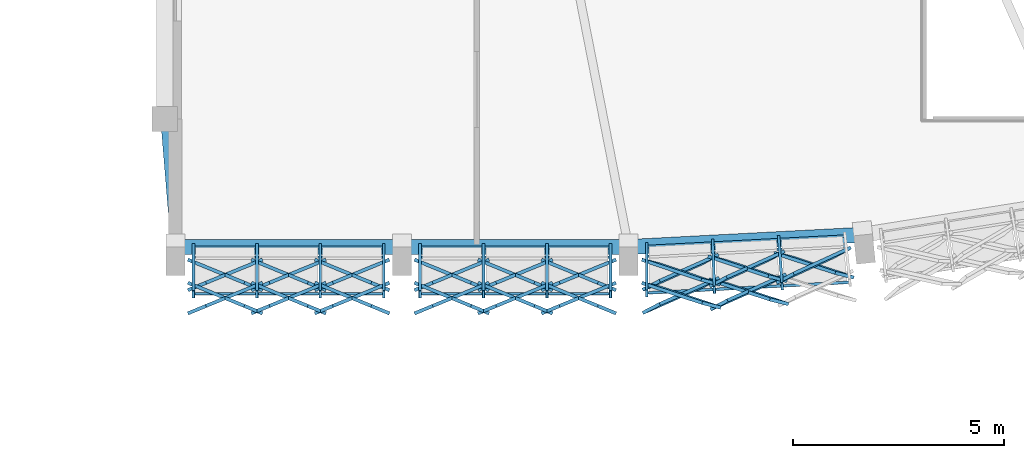
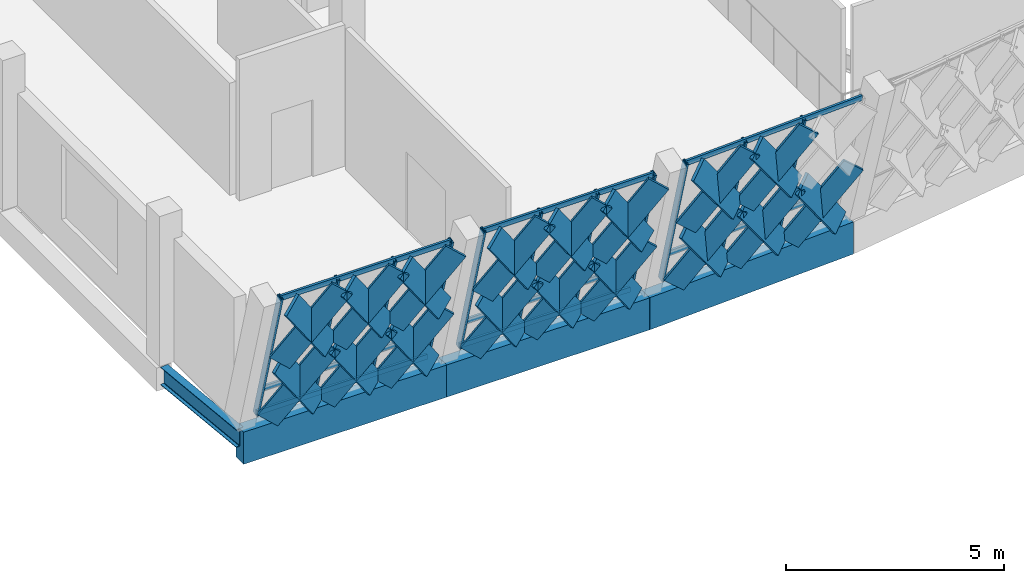
# One storey, part 16 of 107: 54 members, 4 beams, 3 elements without a shape of their own.
"""IFC4 building model written with IfcOpenShell, lengths in metres."""

from ifc_helpers import new_model, si_unit, direction, frame, origin, origin_2d, place, context, subcontext, project, spatial, rectangle, hollow_rectangle, i_section, extrude, material, material_profile, profile_set, type_object, element, aggregate, save


model = new_model("IFC4")

# Units and contexts
model_context = context("Model", 3, precision=1e-05, world=origin(), true_north=direction((0.0, 1.0)))
body_context = subcontext(model_context, "Body", "Model", "MODEL_VIEW")
ifc_project = project(units=[si_unit("LENGTHUNIT", "METRE"), si_unit("AREAUNIT", "SQUARE_METRE"), si_unit("VOLUMEUNIT", "CUBIC_METRE"), si_unit("PLANEANGLEUNIT", "RADIAN"), si_unit("MASSUNIT", "GRAM", prefix="KILO")], contexts=[model_context])

# Site, building, storey
site_placement = place(None, origin())
site = spatial("IfcSite", under=ifc_project, at=site_placement, CompositionType="ELEMENT")
building_placement = place(site_placement, origin())
building = spatial("IfcBuilding", under=site, at=building_placement, Name="Chiffa Square Polytechnic", CompositionType="ELEMENT")
storey_placement = place(building_placement, frame((0.0, 0.0, 13.800048828125)))
storey = spatial("IfcBuildingStorey", under=building, at=storey_placement, Name="L03", CompositionType="ELEMENT", Elevation=13.800048828125)

# Beam
ifc_material_1 = material(Name="Steel S355", Category="steel")
ifc_material_profile_1 = material_profile(ifc_material_1, i_section(OverallWidth=0.199951171875, OverallDepth=0.5, WebThickness=0.01025390625, FlangeThickness=0.01611328125, FilletRadius=0.02099609375, at=origin_2d()), Name="IPE 500")
ifc_profile_set_1 = profile_set([ifc_material_profile_1], Name="Steel S355")
beam_type_1 = type_object("IfcBeamType", Name="BM-STL-IPE500", PredefinedType="BEAM", material=ifc_profile_set_1)
beam_1_placement = place(storey_placement, frame((112.449951171875, 4.162109375, -0.510009765625), z_axis=(-0.082018001166, 0.99663084815, 0.0), x_axis=(-0.99663084815, -0.082018001166, 0.0)))
element("IfcBeam", 1, at=beam_1_placement, inside=storey, type_object=beam_type_1, Name="Prow radial tie girder BM-V1-RAD-L03-01", PredefinedType="BEAM", context=body_context, shape_type="SweptSolid", body=[
    extrude(i_section(OverallWidth=0.199951171875, OverallDepth=0.5, WebThickness=0.01025390625, FlangeThickness=0.01611328125, FilletRadius=0.02099609375, at=origin_2d()), origin(), (0.0, 0.0, 1.0), 3.048095703125),
])

# Curtain wall, members
ifc_material_2 = material(Name="Aluminium EN AW-6060 T66 and glulam shading", Category="wood")
curtain_wall_type_1 = type_object("IfcCurtainWallType", Name="CW-PROW-LEAN-150", PredefinedType="USERDEFINED", material=ifc_material_2)
curtain_wall_1_placement = place(storey_placement, origin())
curtain_wall_1 = element("IfcCurtainWall", 2, at=curtain_wall_1_placement, inside=storey, type_object=curtain_wall_type_1, Name="Outward-leaning diamond-fin prow curtain wall CW-V1-L03-044", ObjectType="CURTAIN WALL", PredefinedType="USERDEFINED")
ifc_material_3 = material(Name="Aluminium EN AW-6060 T66", Category="aluminium")
ifc_material_profile_2 = material_profile(ifc_material_3, hollow_rectangle(XDim=0.06494140625, YDim=0.179931640625, WallThickness=0.00390625, at=origin_2d()), Name="ALU 65x180x4")
ifc_profile_set_2 = profile_set([ifc_material_profile_2], Name="Aluminium EN AW-6060 T66")
member_type_1 = type_object("IfcMemberType", Name="CWM-ALU-75X180", PredefinedType="MULLION", material=ifc_profile_set_2)
member_1_placement = place(storey_placement, frame((112.8798828125, 4.162109375, 0.0), z_axis=(0.0, -0.272401220417, 0.962183753301), x_axis=(1.0, 0.0, 0.0)))
member_1 = element("IfcMember", 3, at=member_1_placement, type_object=member_type_1, Name="Leaning prow mullion CW-V1-L03-044-M00", PredefinedType="MULLION", context=body_context, shape_type="SweptSolid", body=[
    extrude(hollow_rectangle(XDim=0.06494140625, YDim=0.179931640625, WallThickness=0.00390625, at=origin_2d()), origin(), (0.0, 0.0, 1.0), 4.115478515625),
])
member_2_placement = place(storey_placement, frame((114.385009765625, 4.162109375, 0.0), z_axis=(0.0, -0.272401220417, 0.962183753301), x_axis=(1.0, 0.0, 0.0)))
member_2 = element("IfcMember", 4, at=member_2_placement, type_object=member_type_1, Name="Leaning prow mullion CW-V1-L03-044-M01", PredefinedType="MULLION", context=body_context, shape_type="SweptSolid", body=[
    extrude(hollow_rectangle(XDim=0.06494140625, YDim=0.179931640625, WallThickness=0.00390625, at=origin_2d()), origin(), (0.0, 0.0, 1.0), 4.115478515625),
])
member_3_placement = place(storey_placement, frame((115.889892578125, 4.162109375, 0.0), z_axis=(0.0, -0.272401220417, 0.962183753301), x_axis=(1.0, 0.0, 0.0)))
member_3 = element("IfcMember", 5, at=member_3_placement, type_object=member_type_1, Name="Leaning prow mullion CW-V1-L03-044-M02", PredefinedType="MULLION", context=body_context, shape_type="SweptSolid", body=[
    extrude(hollow_rectangle(XDim=0.06494140625, YDim=0.179931640625, WallThickness=0.00390625, at=origin_2d()), origin(), (0.0, 0.0, 1.0), 4.115478515625),
])
member_4_placement = place(storey_placement, frame((117.39501953125, 4.162109375, 0.0), z_axis=(0.0, -0.272401220417, 0.962183753301), x_axis=(1.0, 0.0, 0.0)))
member_4 = element("IfcMember", 6, at=member_4_placement, type_object=member_type_1, Name="Leaning prow mullion CW-V1-L03-044-M03", PredefinedType="MULLION", context=body_context, shape_type="SweptSolid", body=[
    extrude(hollow_rectangle(XDim=0.06494140625, YDim=0.179931640625, WallThickness=0.00390625, at=origin_2d()), origin(), (0.0, 0.0, 1.0), 4.115478515625),
])

curtain_wall_type_2 = type_object("IfcCurtainWallType", Name="CW-PROW-LEAN-300", PredefinedType="USERDEFINED", material=ifc_material_2)
curtain_wall_2_placement = place(storey_placement, origin())
curtain_wall_2 = element("IfcCurtainWall", 7, at=curtain_wall_2_placement, inside=storey, type_object=curtain_wall_type_2, Name="Outward-leaning diamond-fin prow curtain wall CW-V1-L03-045", ObjectType="CURTAIN WALL", PredefinedType="USERDEFINED")
member_5_placement = place(storey_placement, frame((118.2548828125, 4.162109375, 0.0), z_axis=(0.0, -0.272401220417, 0.962183753301), x_axis=(1.0, 0.0, 0.0)))
member_5 = element("IfcMember", 8, at=member_5_placement, type_object=member_type_1, Name="Leaning prow mullion CW-V1-L03-045-M00", PredefinedType="MULLION", context=body_context, shape_type="SweptSolid", body=[
    extrude(hollow_rectangle(XDim=0.06494140625, YDim=0.179931640625, WallThickness=0.00390625, at=origin_2d()), origin(), (0.0, 0.0, 1.0), 4.115478515625),
])
member_6_placement = place(storey_placement, frame((119.760009765625, 4.162109375, 0.0), z_axis=(0.0, -0.272401220417, 0.962183753301), x_axis=(1.0, 0.0, 0.0)))
member_6 = element("IfcMember", 9, at=member_6_placement, type_object=member_type_1, Name="Leaning prow mullion CW-V1-L03-045-M01", PredefinedType="MULLION", context=body_context, shape_type="SweptSolid", body=[
    extrude(hollow_rectangle(XDim=0.06494140625, YDim=0.179931640625, WallThickness=0.00390625, at=origin_2d()), origin(), (0.0, 0.0, 1.0), 4.115478515625),
])
member_7_placement = place(storey_placement, frame((121.264892578125, 4.162109375, 0.0), z_axis=(0.0, -0.272401220417, 0.962183753301), x_axis=(1.0, 0.0, 0.0)))
member_7 = element("IfcMember", 10, at=member_7_placement, type_object=member_type_1, Name="Leaning prow mullion CW-V1-L03-045-M02", PredefinedType="MULLION", context=body_context, shape_type="SweptSolid", body=[
    extrude(hollow_rectangle(XDim=0.06494140625, YDim=0.179931640625, WallThickness=0.00390625, at=origin_2d()), origin(), (0.0, 0.0, 1.0), 4.115478515625),
])
member_8_placement = place(storey_placement, frame((122.77001953125, 4.162109375, 0.0), z_axis=(0.0, -0.272401220417, 0.962183753301), x_axis=(1.0, 0.0, 0.0)))
member_8 = element("IfcMember", 11, at=member_8_placement, type_object=member_type_1, Name="Leaning prow mullion CW-V1-L03-045-M03", PredefinedType="MULLION", context=body_context, shape_type="SweptSolid", body=[
    extrude(hollow_rectangle(XDim=0.06494140625, YDim=0.179931640625, WallThickness=0.00390625, at=origin_2d()), origin(), (0.0, 0.0, 1.0), 4.115478515625),
])

curtain_wall_3_placement = place(storey_placement, origin())
curtain_wall_3 = element("IfcCurtainWall", 12, at=curtain_wall_3_placement, inside=storey, type_object=curtain_wall_type_1, Name="Outward-leaning diamond-fin prow curtain wall CW-V1-L03-046", ObjectType="CURTAIN WALL", PredefinedType="USERDEFINED")
member_9_placement = place(storey_placement, frame((123.62890625, 4.18408203125, 0.0), z_axis=(0.0, -0.272401220417, 0.962183753301), x_axis=(1.0, 0.0, 0.0)))
member_9 = element("IfcMember", 13, at=member_9_placement, type_object=member_type_1, Name="Leaning prow mullion CW-V1-L03-046-M00", PredefinedType="MULLION", context=body_context, shape_type="SweptSolid", body=[
    extrude(hollow_rectangle(XDim=0.06494140625, YDim=0.179931640625, WallThickness=0.00390625, at=origin_2d()), origin(), (0.0, 0.0, 1.0), 4.115478515625),
])
member_10_placement = place(storey_placement, frame((125.1962890625, 4.266357421875, 0.0), z_axis=(0.009492130207, -0.271949530432, 0.962264699738), x_axis=(0.999391410927, 0.03488277176, 0.0)))
member_10 = element("IfcMember", 14, at=member_10_placement, type_object=member_type_1, Name="Leaning prow mullion CW-V1-L03-046-M01", PredefinedType="MULLION", context=body_context, shape_type="SweptSolid", body=[
    extrude(hollow_rectangle(XDim=0.06494140625, YDim=0.179931640625, WallThickness=0.00390625, at=origin_2d()), origin(), (0.0, 0.0, 1.0), 4.115234375),
])
member_11_placement = place(storey_placement, frame((126.763671875, 4.3486328125, 0.0), z_axis=(0.018984448538, -0.271418287686, 0.962274235249), x_axis=(0.997562762874, 0.069774881775, 0.0)))
member_11 = element("IfcMember", 15, at=member_11_placement, type_object=member_type_1, Name="Leaning prow mullion CW-V1-L03-046-M02", PredefinedType="MULLION", context=body_context, shape_type="SweptSolid", body=[
    extrude(hollow_rectangle(XDim=0.06494140625, YDim=0.179931640625, WallThickness=0.00390625, at=origin_2d()), origin(), (0.0, 0.0, 1.0), 4.115234375),
])

# Member
ifc_material_4 = material(Name="Glulam GL28h", Category="wood")
ifc_material_profile_3 = material_profile(ifc_material_4, rectangle(XDim=0.080078125, YDim=0.580078125, at=origin_2d()), Name="GL28h 80x580")
ifc_profile_set_3 = profile_set([ifc_material_profile_3], Name="Glulam GL28h")
member_type_2 = type_object("IfcMemberType", Name="CWM-GL-80X580", PredefinedType="MULLION", material=ifc_profile_set_3)
member_12_placement = place(storey_placement, frame((112.962890625, 3.77587890625, 0.0400390625), z_axis=(0.553285465109, -0.2267612991, 0.801532599044), x_axis=(0.379230520907, 0.92530222739, 0.0)))
member_12 = element("IfcMember", 16, at=member_12_placement, type_object=member_type_2, Name="Diamond glulam fin CW-V1-L03-044-DF01A", PredefinedType="MULLION", context=body_context, shape_type="SweptSolid", body=[
    extrude(rectangle(XDim=0.080078125, YDim=0.580078125, at=origin_2d()), origin(), (0.0, 0.0, 1.0), 2.42041015625),
])

member_13_placement = place(storey_placement, frame((114.302001953125, 3.77587890625, 0.0400390625), z_axis=(-0.553285465109, -0.2267612991, 0.801532599044), x_axis=(0.379230520907, -0.92530222739, 0.0)))
member_13 = element("IfcMember", 17, at=member_13_placement, type_object=member_type_2, Name="Diamond glulam fin CW-V1-L03-044-DF01B", PredefinedType="MULLION", context=body_context, shape_type="SweptSolid", body=[
    extrude(rectangle(XDim=0.080078125, YDim=0.580078125, at=origin_2d()), origin(), (0.0, 0.0, 1.0), 2.42041015625),
])

member_14_placement = place(storey_placement, frame((112.962890625, 3.22705078125, 1.97998046875), z_axis=(0.553222126436, -0.227239644642, 0.801440841688), x_axis=(0.379952352227, 0.92500605946, 0.0)))
member_14 = element("IfcMember", 18, at=member_14_placement, type_object=member_type_2, Name="Diamond glulam fin CW-V1-L03-044-DF02A", PredefinedType="MULLION", context=body_context, shape_type="SweptSolid", body=[
    extrude(rectangle(XDim=0.080078125, YDim=0.580078125, at=origin_2d()), origin(), (0.0, 0.0, 1.0), 2.420654296875),
])

member_15_placement = place(storey_placement, frame((114.302001953125, 3.22705078125, 1.97998046875), z_axis=(-0.553222126436, -0.227239644642, 0.801440841688), x_axis=(0.379952352227, -0.92500605946, 0.0)))
member_15 = element("IfcMember", 19, at=member_15_placement, type_object=member_type_2, Name="Diamond glulam fin CW-V1-L03-044-DF02B", PredefinedType="MULLION", context=body_context, shape_type="SweptSolid", body=[
    extrude(rectangle(XDim=0.080078125, YDim=0.580078125, at=origin_2d()), origin(), (0.0, 0.0, 1.0), 2.420654296875),
])

member_16_placement = place(storey_placement, frame((114.468017578125, 3.77587890625, 0.0400390625), z_axis=(0.553215466348, -0.226773954842, 0.801577333261), x_axis=(0.379289725577, 0.925277960438, 0.0)))
member_16 = element("IfcMember", 20, at=member_16_placement, type_object=member_type_2, Name="Diamond glulam fin CW-V1-L03-044-DF03A", PredefinedType="MULLION", context=body_context, shape_type="SweptSolid", body=[
    extrude(rectangle(XDim=0.080078125, YDim=0.580078125, at=origin_2d()), origin(), (0.0, 0.0, 1.0), 2.420166015625),
])

member_17_placement = place(storey_placement, frame((115.806884765625, 3.77587890625, 0.0400390625), z_axis=(-0.553215466348, -0.226773954842, 0.801577333261), x_axis=(0.379289725577, -0.925277960438, 0.0)))
member_17 = element("IfcMember", 21, at=member_17_placement, type_object=member_type_2, Name="Diamond glulam fin CW-V1-L03-044-DF03B", PredefinedType="MULLION", context=body_context, shape_type="SweptSolid", body=[
    extrude(rectangle(XDim=0.080078125, YDim=0.580078125, at=origin_2d()), origin(), (0.0, 0.0, 1.0), 2.420166015625),
])

member_18_placement = place(storey_placement, frame((114.468017578125, 3.22705078125, 1.97998046875), z_axis=(0.553152128621, -0.227252324176, 0.801485560543), x_axis=(0.380011631613, 0.92498170784, 0.0)))
member_18 = element("IfcMember", 22, at=member_18_placement, type_object=member_type_2, Name="Diamond glulam fin CW-V1-L03-044-DF04A", PredefinedType="MULLION", context=body_context, shape_type="SweptSolid", body=[
    extrude(rectangle(XDim=0.080078125, YDim=0.580078125, at=origin_2d()), origin(), (0.0, 0.0, 1.0), 2.42041015625),
])

member_19_placement = place(storey_placement, frame((115.806884765625, 3.22705078125, 1.97998046875), z_axis=(-0.553152128621, -0.227252324176, 0.801485560543), x_axis=(0.380011631613, -0.92498170784, 0.0)))
member_19 = element("IfcMember", 23, at=member_19_placement, type_object=member_type_2, Name="Diamond glulam fin CW-V1-L03-044-DF04B", PredefinedType="MULLION", context=body_context, shape_type="SweptSolid", body=[
    extrude(rectangle(XDim=0.080078125, YDim=0.580078125, at=origin_2d()), origin(), (0.0, 0.0, 1.0), 2.42041015625),
])

member_20_placement = place(storey_placement, frame((115.972900390625, 3.77587890625, 0.0400390625), z_axis=(0.553285465109, -0.2267612991, 0.801532599044), x_axis=(0.379230520907, 0.92530222739, 0.0)))
member_20 = element("IfcMember", 24, at=member_20_placement, type_object=member_type_2, Name="Diamond glulam fin CW-V1-L03-044-DF05A", PredefinedType="MULLION", context=body_context, shape_type="SweptSolid", body=[
    extrude(rectangle(XDim=0.080078125, YDim=0.580078125, at=origin_2d()), origin(), (0.0, 0.0, 1.0), 2.42041015625),
])

member_21_placement = place(storey_placement, frame((117.31201171875, 3.77587890625, 0.0400390625), z_axis=(-0.553285465109, -0.2267612991, 0.801532599044), x_axis=(0.379230520907, -0.92530222739, 0.0)))
member_21 = element("IfcMember", 25, at=member_21_placement, type_object=member_type_2, Name="Diamond glulam fin CW-V1-L03-044-DF05B", PredefinedType="MULLION", context=body_context, shape_type="SweptSolid", body=[
    extrude(rectangle(XDim=0.080078125, YDim=0.580078125, at=origin_2d()), origin(), (0.0, 0.0, 1.0), 2.42041015625),
])

member_22_placement = place(storey_placement, frame((115.972900390625, 3.22705078125, 1.97998046875), z_axis=(0.553222126436, -0.227239644642, 0.801440841688), x_axis=(0.379952352227, 0.92500605946, 0.0)))
member_22 = element("IfcMember", 26, at=member_22_placement, type_object=member_type_2, Name="Diamond glulam fin CW-V1-L03-044-DF06A", PredefinedType="MULLION", context=body_context, shape_type="SweptSolid", body=[
    extrude(rectangle(XDim=0.080078125, YDim=0.580078125, at=origin_2d()), origin(), (0.0, 0.0, 1.0), 2.420654296875),
])

member_23_placement = place(storey_placement, frame((117.31201171875, 3.22705078125, 1.97998046875), z_axis=(-0.553222126436, -0.227239644642, 0.801440841688), x_axis=(0.379952352227, -0.92500605946, 0.0)))
member_23 = element("IfcMember", 27, at=member_23_placement, type_object=member_type_2, Name="Diamond glulam fin CW-V1-L03-044-DF06B", PredefinedType="MULLION", context=body_context, shape_type="SweptSolid", body=[
    extrude(rectangle(XDim=0.080078125, YDim=0.580078125, at=origin_2d()), origin(), (0.0, 0.0, 1.0), 2.420654296875),
])

member_24_placement = place(storey_placement, frame((118.337890625, 3.77587890625, 0.0400390625), z_axis=(0.553285465109, -0.2267612991, 0.801532599044), x_axis=(0.379230520907, 0.92530222739, 0.0)))
member_24 = element("IfcMember", 28, at=member_24_placement, type_object=member_type_2, Name="Diamond glulam fin CW-V1-L03-045-DF01A", PredefinedType="MULLION", context=body_context, shape_type="SweptSolid", body=[
    extrude(rectangle(XDim=0.080078125, YDim=0.580078125, at=origin_2d()), origin(), (0.0, 0.0, 1.0), 2.42041015625),
])

member_25_placement = place(storey_placement, frame((119.677001953125, 3.77587890625, 0.0400390625), z_axis=(-0.553285465109, -0.2267612991, 0.801532599044), x_axis=(0.379230520907, -0.92530222739, 0.0)))
member_25 = element("IfcMember", 29, at=member_25_placement, type_object=member_type_2, Name="Diamond glulam fin CW-V1-L03-045-DF01B", PredefinedType="MULLION", context=body_context, shape_type="SweptSolid", body=[
    extrude(rectangle(XDim=0.080078125, YDim=0.580078125, at=origin_2d()), origin(), (0.0, 0.0, 1.0), 2.42041015625),
])

member_26_placement = place(storey_placement, frame((118.337890625, 3.22705078125, 1.97998046875), z_axis=(0.553222126436, -0.227239644642, 0.801440841688), x_axis=(0.379952352227, 0.92500605946, 0.0)))
member_26 = element("IfcMember", 30, at=member_26_placement, type_object=member_type_2, Name="Diamond glulam fin CW-V1-L03-045-DF02A", PredefinedType="MULLION", context=body_context, shape_type="SweptSolid", body=[
    extrude(rectangle(XDim=0.080078125, YDim=0.580078125, at=origin_2d()), origin(), (0.0, 0.0, 1.0), 2.420654296875),
])

member_27_placement = place(storey_placement, frame((119.677001953125, 3.22705078125, 1.97998046875), z_axis=(-0.553222126436, -0.227239644642, 0.801440841688), x_axis=(0.379952352227, -0.92500605946, 0.0)))
member_27 = element("IfcMember", 31, at=member_27_placement, type_object=member_type_2, Name="Diamond glulam fin CW-V1-L03-045-DF02B", PredefinedType="MULLION", context=body_context, shape_type="SweptSolid", body=[
    extrude(rectangle(XDim=0.080078125, YDim=0.580078125, at=origin_2d()), origin(), (0.0, 0.0, 1.0), 2.420654296875),
])

member_28_placement = place(storey_placement, frame((119.843017578125, 3.77587890625, 0.0400390625), z_axis=(0.553215466348, -0.226773954842, 0.801577333261), x_axis=(0.379289725577, 0.925277960438, 0.0)))
member_28 = element("IfcMember", 32, at=member_28_placement, type_object=member_type_2, Name="Diamond glulam fin CW-V1-L03-045-DF03A", PredefinedType="MULLION", context=body_context, shape_type="SweptSolid", body=[
    extrude(rectangle(XDim=0.080078125, YDim=0.580078125, at=origin_2d()), origin(), (0.0, 0.0, 1.0), 2.420166015625),
])

member_29_placement = place(storey_placement, frame((121.181884765625, 3.77587890625, 0.0400390625), z_axis=(-0.553215466348, -0.226773954842, 0.801577333261), x_axis=(0.379289725577, -0.925277960438, 0.0)))
member_29 = element("IfcMember", 33, at=member_29_placement, type_object=member_type_2, Name="Diamond glulam fin CW-V1-L03-045-DF03B", PredefinedType="MULLION", context=body_context, shape_type="SweptSolid", body=[
    extrude(rectangle(XDim=0.080078125, YDim=0.580078125, at=origin_2d()), origin(), (0.0, 0.0, 1.0), 2.420166015625),
])

member_30_placement = place(storey_placement, frame((119.843017578125, 3.22705078125, 1.97998046875), z_axis=(0.553152128621, -0.227252324176, 0.801485560543), x_axis=(0.380011631613, 0.92498170784, 0.0)))
member_30 = element("IfcMember", 34, at=member_30_placement, type_object=member_type_2, Name="Diamond glulam fin CW-V1-L03-045-DF04A", PredefinedType="MULLION", context=body_context, shape_type="SweptSolid", body=[
    extrude(rectangle(XDim=0.080078125, YDim=0.580078125, at=origin_2d()), origin(), (0.0, 0.0, 1.0), 2.42041015625),
])

member_31_placement = place(storey_placement, frame((121.181884765625, 3.22705078125, 1.97998046875), z_axis=(-0.553152128621, -0.227252324176, 0.801485560543), x_axis=(0.380011631613, -0.92498170784, 0.0)))
member_31 = element("IfcMember", 35, at=member_31_placement, type_object=member_type_2, Name="Diamond glulam fin CW-V1-L03-045-DF04B", PredefinedType="MULLION", context=body_context, shape_type="SweptSolid", body=[
    extrude(rectangle(XDim=0.080078125, YDim=0.580078125, at=origin_2d()), origin(), (0.0, 0.0, 1.0), 2.42041015625),
])

member_32_placement = place(storey_placement, frame((121.347900390625, 3.77587890625, 0.0400390625), z_axis=(0.553285465109, -0.2267612991, 0.801532599044), x_axis=(0.379230520907, 0.92530222739, 0.0)))
member_32 = element("IfcMember", 36, at=member_32_placement, type_object=member_type_2, Name="Diamond glulam fin CW-V1-L03-045-DF05A", PredefinedType="MULLION", context=body_context, shape_type="SweptSolid", body=[
    extrude(rectangle(XDim=0.080078125, YDim=0.580078125, at=origin_2d()), origin(), (0.0, 0.0, 1.0), 2.42041015625),
])

member_33_placement = place(storey_placement, frame((122.68701171875, 3.77587890625, 0.0400390625), z_axis=(-0.553285465109, -0.2267612991, 0.801532599044), x_axis=(0.379230520907, -0.92530222739, 0.0)))
member_33 = element("IfcMember", 37, at=member_33_placement, type_object=member_type_2, Name="Diamond glulam fin CW-V1-L03-045-DF05B", PredefinedType="MULLION", context=body_context, shape_type="SweptSolid", body=[
    extrude(rectangle(XDim=0.080078125, YDim=0.580078125, at=origin_2d()), origin(), (0.0, 0.0, 1.0), 2.42041015625),
])

member_34_placement = place(storey_placement, frame((121.347900390625, 3.22705078125, 1.97998046875), z_axis=(0.553222126436, -0.227239644642, 0.801440841688), x_axis=(0.379952352227, 0.92500605946, 0.0)))
member_34 = element("IfcMember", 38, at=member_34_placement, type_object=member_type_2, Name="Diamond glulam fin CW-V1-L03-045-DF06A", PredefinedType="MULLION", context=body_context, shape_type="SweptSolid", body=[
    extrude(rectangle(XDim=0.080078125, YDim=0.580078125, at=origin_2d()), origin(), (0.0, 0.0, 1.0), 2.420654296875),
])

member_35_placement = place(storey_placement, frame((122.68701171875, 3.22705078125, 1.97998046875), z_axis=(-0.553222126436, -0.227239644642, 0.801440841688), x_axis=(0.379952352227, -0.92500605946, 0.0)))
member_35 = element("IfcMember", 39, at=member_35_placement, type_object=member_type_2, Name="Diamond glulam fin CW-V1-L03-045-DF06B", PredefinedType="MULLION", context=body_context, shape_type="SweptSolid", body=[
    extrude(rectangle(XDim=0.080078125, YDim=0.580078125, at=origin_2d()), origin(), (0.0, 0.0, 1.0), 2.420654296875),
])

member_36_placement = place(storey_placement, frame((123.735107421875, 3.802978515625, 0.0400390625), z_axis=(0.577502344128, -0.19419726312, 0.792955525565), x_axis=(0.278960181572, 0.959773109591, 0.031887226341)))
member_36 = element("IfcMember", 40, at=member_36_placement, type_object=member_type_2, Name="Diamond glulam fin CW-V1-L03-046-DF01A", PredefinedType="MULLION", context=body_context, shape_type="SweptSolid", body=[
    extrude(rectangle(XDim=0.080078125, YDim=0.580078125, at=origin_2d()), origin(), (0.0, 0.0, 1.0), 2.446533203125),
])

member_37_placement = place(storey_placement, frame((125.1298828125, 3.8759765625, 0.0400390625), z_axis=(-0.564655831789, -0.252013147556, 0.785909132842), x_axis=(0.444564338104, -0.895162153636, 0.032361520107)))
member_37 = element("IfcMember", 41, at=member_37_placement, type_object=member_type_2, Name="Diamond glulam fin CW-V1-L03-046-DF01B", PredefinedType="MULLION", context=body_context, shape_type="SweptSolid", body=[
    extrude(rectangle(XDim=0.080078125, YDim=0.580078125, at=origin_2d()), origin(), (0.0, 0.0, 1.0), 2.468505859375),
])

member_38_placement = place(storey_placement, frame((123.736083984375, 3.25390625, 1.97998046875), z_axis=(0.582185918072, -0.192935439129, 0.789832560184), x_axis=(0.274904977847, 0.960935439474, 0.032098821138)))
member_38 = element("IfcMember", 42, at=member_38_placement, type_object=member_type_2, Name="Diamond glulam fin CW-V1-L03-046-DF02A", PredefinedType="MULLION", context=body_context, shape_type="SweptSolid", body=[
    extrude(rectangle(XDim=0.080078125, YDim=0.580078125, at=origin_2d()), origin(), (0.0, 0.0, 1.0), 2.4560546875),
])

member_39_placement = place(storey_placement, frame((125.14794921875, 3.327880859375, 1.97998046875), z_axis=(-0.56930197821, -0.251304610904, 0.782777906014), x_axis=(0.440756112421, -0.897035856244, 0.032568726957)))
member_39 = element("IfcMember", 43, at=member_39_placement, type_object=member_type_2, Name="Diamond glulam fin CW-V1-L03-046-DF02B", PredefinedType="MULLION", context=body_context, shape_type="SweptSolid", body=[
    extrude(rectangle(XDim=0.080078125, YDim=0.580078125, at=origin_2d()), origin(), (0.0, 0.0, 1.0), 2.478271484375),
])

member_40_placement = place(storey_placement, frame((125.302978515625, 3.885009765625, 0.0400390625), z_axis=(0.582765672939, -0.19293060635, 0.789406075209), x_axis=(0.274633487879, 0.96101210617, 0.032127544712)))
member_40 = element("IfcMember", 44, at=member_40_placement, type_object=member_type_2, Name="Diamond glulam fin CW-V1-L03-046-DF03A", PredefinedType="MULLION", context=body_context, shape_type="SweptSolid", body=[
    extrude(rectangle(XDim=0.080078125, YDim=0.580078125, at=origin_2d()), origin(), (0.0, 0.0, 1.0), 2.45751953125),
])

member_41_placement = place(storey_placement, frame((126.697998046875, 3.9580078125, 0.0400390625), z_axis=(-0.559490907903, -0.25272458624, 0.789366966299), x_axis=(0.44874142843, -0.893083860654, 0.032130176619)))
member_41 = element("IfcMember", 45, at=member_41_placement, type_object=member_type_2, Name="Diamond glulam fin CW-V1-L03-046-DF03B", PredefinedType="MULLION", context=body_context, shape_type="SweptSolid", body=[
    extrude(rectangle(XDim=0.080078125, YDim=0.580078125, at=origin_2d()), origin(), (0.0, 0.0, 1.0), 2.45751953125),
])

member_42_placement = place(storey_placement, frame((125.322998046875, 3.3369140625, 1.97998046875), z_axis=(0.587321255548, -0.191683449368, 0.786327665811), x_axis=(0.270715406131, 0.962116262874, 0.032333660433)))
member_42 = element("IfcMember", 46, at=member_42_placement, type_object=member_type_2, Name="Diamond glulam fin CW-V1-L03-046-DF04A", PredefinedType="MULLION", context=body_context, shape_type="SweptSolid", body=[
    extrude(rectangle(XDim=0.080078125, YDim=0.580078125, at=origin_2d()), origin(), (0.0, 0.0, 1.0), 2.467041015625),
])

member_43_placement = place(storey_placement, frame((126.735107421875, 3.410888671875, 1.97998046875), z_axis=(-0.564198027067, -0.252019006479, 0.786235973882), x_axis=(0.444857981577, -0.895017047705, 0.032339767234)))
member_43 = element("IfcMember", 47, at=member_43_placement, type_object=member_type_2, Name="Diamond glulam fin CW-V1-L03-046-DF04B", PredefinedType="MULLION", context=body_context, shape_type="SweptSolid", body=[
    extrude(rectangle(XDim=0.080078125, YDim=0.580078125, at=origin_2d()), origin(), (0.0, 0.0, 1.0), 2.46728515625),
])

member_44_placement = place(storey_placement, frame((126.8701171875, 3.967041015625, 0.0400390625), z_axis=(0.588087180649, -0.191645023726, 0.785764374884), x_axis=(0.270316941888, 0.962227031306, 0.032371146899)))
member_44 = element("IfcMember", 48, at=member_44_placement, type_object=member_type_2, Name="Diamond glulam fin CW-V1-L03-046-DF05A", PredefinedType="MULLION", context=body_context, shape_type="SweptSolid", body=[
    extrude(rectangle(XDim=0.080078125, YDim=0.580078125, at=origin_2d()), origin(), (0.0, 0.0, 1.0), 2.46875),
])

member_45_placement = place(storey_placement, frame((128.26611328125, 4.041015625, 0.0400390625), z_axis=(-0.554202255971, -0.253805677622, 0.792743677038), x_axis=(0.453529346943, -0.890670206156, 0.031901650869)))
member_45 = element("IfcMember", 49, at=member_45_placement, type_object=member_type_2, Name="Diamond glulam fin CW-V1-L03-046-DF05B", PredefinedType="MULLION", context=body_context, shape_type="SweptSolid", body=[
    extrude(rectangle(XDim=0.080078125, YDim=0.580078125, at=origin_2d()), origin(), (0.0, 0.0, 1.0), 2.447021484375),
])

ifc_material_profile_4 = material_profile(ifc_material_3, hollow_rectangle(XDim=0.06494140625, YDim=0.139892578125, WallThickness=0.00390625, at=origin_2d()), Name="ALU 65x140x4")
ifc_profile_set_4 = profile_set([ifc_material_profile_4], Name="Aluminium EN AW-6060 T66")
member_type_3 = type_object("IfcMemberType", Name="CWT-ALU-75X140", PredefinedType="USERDEFINED", material=ifc_profile_set_4)
member_46_placement = place(storey_placement, frame((112.8798828125, 4.150634765625, 0.0400390625), z_axis=(1.0, 0.0, 0.0), x_axis=(0.0, 1.0, 0.0)))
member_46 = element("IfcMember", 50, at=member_46_placement, type_object=member_type_3, Name="Leaning prow transom CW-V1-L03-044-T01", ObjectType="TRANSOM", PredefinedType="USERDEFINED", context=body_context, shape_type="SweptSolid", body=[
    extrude(hollow_rectangle(XDim=0.06494140625, YDim=0.139892578125, WallThickness=0.00390625, at=origin_2d()), origin(), (0.0, 0.0, 1.0), 4.51513671875),
])

member_47_placement = place(storey_placement, frame((112.8798828125, 3.92138671875, 0.849853515625), z_axis=(1.0, 0.0, 0.0), x_axis=(0.0, 1.0, 0.0)))
member_47 = element("IfcMember", 51, at=member_47_placement, type_object=member_type_3, Name="Leaning prow transom CW-V1-L03-044-T02", ObjectType="TRANSOM", PredefinedType="USERDEFINED", context=body_context, shape_type="SweptSolid", body=[
    extrude(hollow_rectangle(XDim=0.06494140625, YDim=0.139892578125, WallThickness=0.00390625, at=origin_2d()), origin(), (0.0, 0.0, 1.0), 4.51513671875),
])

member_48_placement = place(storey_placement, frame((112.8798828125, 3.05224609375, 3.919921875), z_axis=(1.0, 0.0, 0.0), x_axis=(0.0, 1.0, 0.0)))
member_48 = element("IfcMember", 52, at=member_48_placement, type_object=member_type_3, Name="Leaning prow transom CW-V1-L03-044-T03", ObjectType="TRANSOM", PredefinedType="USERDEFINED", context=body_context, shape_type="SweptSolid", body=[
    extrude(hollow_rectangle(XDim=0.06494140625, YDim=0.139892578125, WallThickness=0.00390625, at=origin_2d()), origin(), (0.0, 0.0, 1.0), 4.51513671875),
])

aggregate(curtain_wall_1, [member_1, member_2, member_3, member_4, member_46, member_47, member_48, member_12, member_13, member_14, member_15, member_16, member_17, member_18, member_19, member_20, member_21, member_22, member_23])

member_49_placement = place(storey_placement, frame((118.2548828125, 4.150634765625, 0.0400390625), z_axis=(1.0, 0.0, 0.0), x_axis=(0.0, 1.0, 0.0)))
member_49 = element("IfcMember", 53, at=member_49_placement, type_object=member_type_3, Name="Leaning prow transom CW-V1-L03-045-T01", ObjectType="TRANSOM", PredefinedType="USERDEFINED", context=body_context, shape_type="SweptSolid", body=[
    extrude(hollow_rectangle(XDim=0.06494140625, YDim=0.139892578125, WallThickness=0.00390625, at=origin_2d()), origin(), (0.0, 0.0, 1.0), 4.51513671875),
])

member_50_placement = place(storey_placement, frame((118.2548828125, 3.92138671875, 0.849853515625), z_axis=(1.0, 0.0, 0.0), x_axis=(0.0, 1.0, 0.0)))
member_50 = element("IfcMember", 54, at=member_50_placement, type_object=member_type_3, Name="Leaning prow transom CW-V1-L03-045-T02", ObjectType="TRANSOM", PredefinedType="USERDEFINED", context=body_context, shape_type="SweptSolid", body=[
    extrude(hollow_rectangle(XDim=0.06494140625, YDim=0.139892578125, WallThickness=0.00390625, at=origin_2d()), origin(), (0.0, 0.0, 1.0), 4.51513671875),
])

member_51_placement = place(storey_placement, frame((118.2548828125, 3.05224609375, 3.919921875), z_axis=(1.0, 0.0, 0.0), x_axis=(0.0, 1.0, 0.0)))
member_51 = element("IfcMember", 55, at=member_51_placement, type_object=member_type_3, Name="Leaning prow transom CW-V1-L03-045-T03", ObjectType="TRANSOM", PredefinedType="USERDEFINED", context=body_context, shape_type="SweptSolid", body=[
    extrude(hollow_rectangle(XDim=0.06494140625, YDim=0.139892578125, WallThickness=0.00390625, at=origin_2d()), origin(), (0.0, 0.0, 1.0), 4.51513671875),
])

aggregate(curtain_wall_2, [member_5, member_6, member_7, member_8, member_49, member_50, member_51, member_24, member_25, member_26, member_27, member_28, member_29, member_30, member_31, member_32, member_33, member_34, member_35])

member_52_placement = place(storey_placement, frame((123.62890625, 4.172607421875, 0.0400390625), z_axis=(0.998623122427, 0.052458167656, 0.0), x_axis=(-0.052458167656, 0.998623122427, 0.0)))
member_52 = element("IfcMember", 56, at=member_52_placement, type_object=member_type_3, Name="Leaning prow transom CW-V1-L03-046-T01", ObjectType="TRANSOM", PredefinedType="USERDEFINED", context=body_context, shape_type="SweptSolid", body=[
    extrude(hollow_rectangle(XDim=0.06494140625, YDim=0.139892578125, WallThickness=0.00390625, at=origin_2d()), origin(), (0.0, 0.0, 1.0), 4.7099609375),
])

member_53_placement = place(storey_placement, frame((123.62890625, 3.943359375, 0.849853515625), z_axis=(0.998623522225, 0.052450556324, 0.0), x_axis=(-0.052450556324, 0.998623522225, 0.0)))
member_53 = element("IfcMember", 57, at=member_53_placement, type_object=member_type_3, Name="Leaning prow transom CW-V1-L03-046-T02", ObjectType="TRANSOM", PredefinedType="USERDEFINED", context=body_context, shape_type="SweptSolid", body=[
    extrude(hollow_rectangle(XDim=0.06494140625, YDim=0.139892578125, WallThickness=0.00390625, at=origin_2d()), origin(), (0.0, 0.0, 1.0), 4.73388671875),
])

member_54_placement = place(storey_placement, frame((123.62890625, 3.07421875, 3.919921875), z_axis=(0.998622159442, 0.052476496369, 0.0), x_axis=(-0.052476496369, 0.998622159442, 0.0)))
member_54 = element("IfcMember", 58, at=member_54_placement, type_object=member_type_3, Name="Leaning prow transom CW-V1-L03-046-T03", ObjectType="TRANSOM", PredefinedType="USERDEFINED", context=body_context, shape_type="SweptSolid", body=[
    extrude(hollow_rectangle(XDim=0.06494140625, YDim=0.139892578125, WallThickness=0.00390625, at=origin_2d()), origin(), (0.0, 0.0, 1.0), 4.824462890625),
])

aggregate(curtain_wall_3, [member_9, member_10, member_11, member_52, member_53, member_54, member_36, member_37, member_38, member_39, member_40, member_41, member_42, member_43, member_44, member_45])

# Beams
ifc_material_5 = material(Name="Glulam GL32c", Category="wood")
ifc_material_profile_5 = material_profile(ifc_material_5, rectangle(XDim=0.360107421875, YDim=0.89990234375, at=origin_2d()), Name="GL32c 360x900")
ifc_profile_set_5 = profile_set([ifc_material_profile_5], Name="Glulam GL32c")
beam_type_2 = type_object("IfcBeamType", Name="RB-GL-360X900", PredefinedType="SPANDREL", material=ifc_profile_set_5)
for number, where, z_axis, x_axis, name in (
    (59, (112.449951171875, 4.162109375, -0.7099609375), (1.0, 0.0, 0.0), (0.0, 1.0, 0.0), "Prow perimeter edge beam RB-V1-PROW-L03-01"),
    (60, (117.824951171875, 4.162109375, -0.7099609375), (1.0, 0.0, 0.0), (0.0, 1.0, 0.0), "Prow perimeter edge beam RB-V1-PROW-L03-02"),
):
    element("IfcBeam", number, at=place(storey_placement, frame(where, z_axis=z_axis, x_axis=x_axis)), inside=storey, type_object=beam_type_2, Name=name, PredefinedType="SPANDREL", context=body_context, shape_type="SweptSolid", body=[
        extrude(rectangle(XDim=0.360107421875, YDim=0.89990234375, at=origin_2d()), origin(), (0.0, 0.0, 1.0), 5.375),
    ])
beam_2_placement = place(storey_placement, frame((123.199951171875, 4.162109375, -0.7099609375), z_axis=(0.998635337718, 0.052225111409, 0.0), x_axis=(-0.052225111409, 0.998635337718, 0.0)))
element("IfcBeam", 61, at=beam_2_placement, inside=storey, type_object=beam_type_2, Name="Prow perimeter edge beam RB-V1-PROW-L03-03", PredefinedType="SPANDREL", context=body_context, shape_type="SweptSolid", body=[
    extrude(rectangle(XDim=0.360107421875, YDim=0.89990234375, at=origin_2d()), origin(), (0.0, 0.0, 1.0), 5.567626953125),
])

save(model, "model.ifc")
